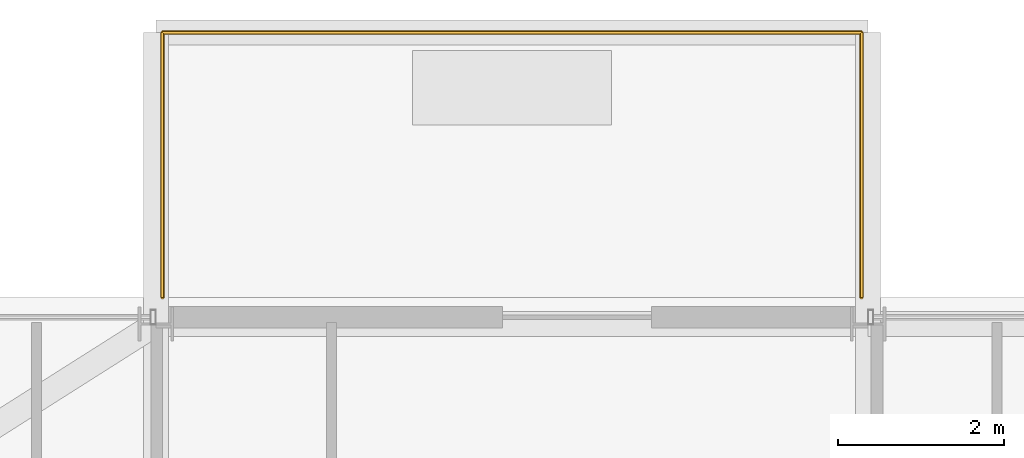
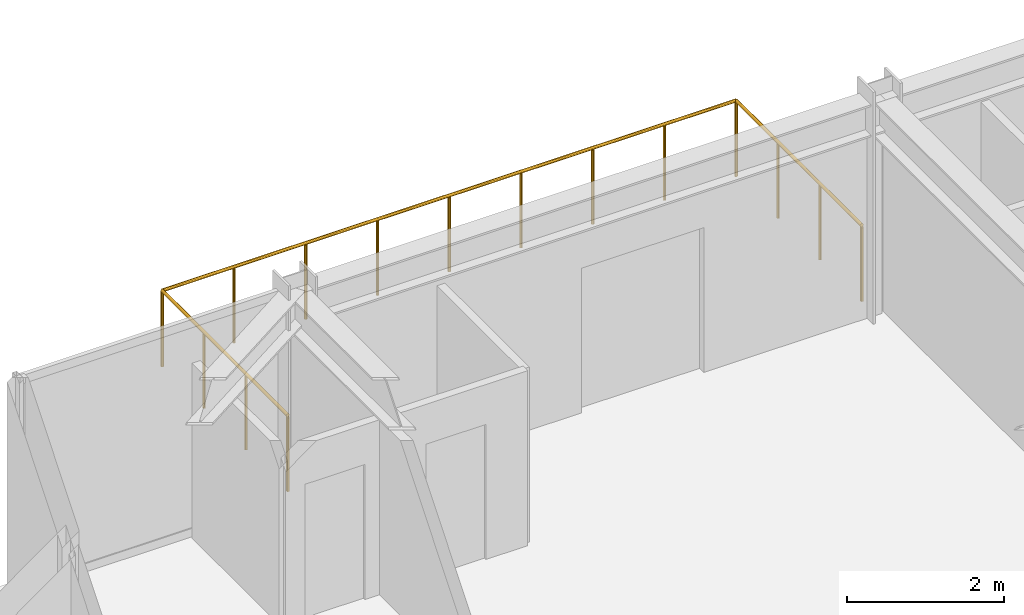
# One storey, part 33 of 34: 1 railing.
"""IFC4 building model written with IfcOpenShell, lengths in metres."""

import ifcopenshell
import ifcopenshell.guid

model = None  # the IFC model being written
_history = None  # IfcOwnerHistory: only IFC2X3 demands one
_inside = {}  # id of a spatial element -> (the spatial element, [elements in it])
_under = {}  # id of a project, library or spatial element -> (it, [spatial elements below it])
_declared = {}  # id of a project -> (the project, [libraries it declares])
_typed = {}  # id of a type object -> (the type object, [elements of that type])
_made_of = {}  # id of a material, layer set ... -> (it, [elements and type objects made of it])


def new_model(schema):
    """Start an empty IFC model of exactly this schema.

    Asked for "IFC4X3", IfcOpenShell would pick the latest addendum, in which some entities
    have other attributes; the version numbers below select the first issue.
    IFC2X3 requires an IfcOwnerHistory on every rooted entity: one is made here for all.
    """
    global model, _history
    if schema == "IFC4X3":
        model = ifcopenshell.file(schema_version=(4, 3, 0, 0))
    else:
        model = ifcopenshell.file(schema=schema)
    _inside.clear()
    _under.clear()
    _declared.clear()
    _typed.clear()
    _made_of.clear()
    _history = None
    if model.schema == "IFC2X3":
        org = make("IfcOrganization", Name="unknown")
        user = make(
            "IfcPersonAndOrganization",
            ThePerson=make("IfcPerson", FamilyName="unknown"),
            TheOrganization=org,
        )
        app = make(
            "IfcApplication",
            ApplicationDeveloper=org,
            Version="unknown",
            ApplicationFullName="unknown",
            ApplicationIdentifier="unknown",
        )
        _history = make(
            "IfcOwnerHistory",
            OwningUser=user,
            OwningApplication=app,
            ChangeAction="ADDED",
            CreationDate=0,
        )
    return model


def make(cls, **values):
    """One entity of the class cls with the attributes given. An attribute that is None is left unset."""
    return model.create_entity(
        cls, **{name: value for name, value in values.items() if value is not None}
    )


def rooted(cls, **values):
    """An entity with a GlobalId (a new one), such as an element, a storey or a relation."""
    return make(cls, GlobalId=ifcopenshell.guid.new(), OwnerHistory=_history, **values)


def si_unit(unit_type, name, prefix=None):
    """IfcSIUnit, for example si_unit("LENGTHUNIT", "METRE", prefix="MILLI")."""
    return make("IfcSIUnit", UnitType=unit_type, Prefix=prefix, Name=name)


def assignment(units):
    """IfcUnitAssignment: the units of a project."""
    return None if units is None else make("IfcUnitAssignment", Units=units)


def point(xyz):
    """IfcCartesianPoint."""
    return None if xyz is None else make("IfcCartesianPoint", Coordinates=xyz)


def direction(xyz):
    """IfcDirection."""
    return None if xyz is None else make("IfcDirection", DirectionRatios=xyz)


def frame(location, z_axis=None, x_axis=None):
    """IfcAxis2Placement3D, a coordinate frame: its origin and axes. An axis left out is left unset."""
    return make(
        "IfcAxis2Placement3D",
        Location=point(location),
        Axis=direction(z_axis),
        RefDirection=direction(x_axis),
    )


def frame_2d(location, x_axis=None):
    """IfcAxis2Placement2D, a coordinate frame in the plane: its origin and x axis."""
    return make(
        "IfcAxis2Placement2D", Location=point(location), RefDirection=direction(x_axis)
    )


def origin():
    """The frame at (0, 0, 0) with its axes left unset."""
    return frame((0.0, 0.0, 0.0))


def origin_2d():
    """The frame at (0, 0) in the plane with its x axis left unset."""
    return frame_2d((0.0, 0.0))


def place(relative_to, where):
    """IfcLocalPlacement: puts the frame where relative to a parent placement (None: the world)."""
    return make(
        "IfcLocalPlacement", PlacementRelTo=relative_to, RelativePlacement=where
    )


def context(
    kind, dimensions, precision=None, world=None, true_north=None, identifier=None
):
    """IfcGeometricRepresentationContext, for example the 3D "Model" context."""
    return make(
        "IfcGeometricRepresentationContext",
        ContextIdentifier=identifier,
        ContextType=kind,
        CoordinateSpaceDimension=dimensions,
        Precision=precision,
        WorldCoordinateSystem=world,
        TrueNorth=true_north,
    )


def subcontext(parent, identifier, kind, view, scale=None):
    """IfcGeometricRepresentationSubContext, for example "Body" below "Model"."""
    return make(
        "IfcGeometricRepresentationSubContext",
        ContextIdentifier=identifier,
        ContextType=kind,
        ParentContext=parent,
        TargetScale=scale,
        TargetView=view,
    )


def project(units=None, contexts=None):
    """IfcProject with its units and contexts."""
    return rooted(
        "IfcProject",
        Name="project",
        RepresentationContexts=contexts,
        UnitsInContext=assignment(units),
    )


def spatial(cls, under=None, at=None, **own):
    """A site, building, storey or space (cls), placed at a placement, below another one or the project."""
    s = rooted(cls, ObjectPlacement=at, **own)
    if under is not None:
        _under.setdefault(under.id(), (under, []))[1].append(s)
    return s


def profile(cls, at=None, kind="AREA", **sizes):
    """A parametric profile (cls). Its sizes go by their IFC names, for example OverallWidth=200.0."""
    return make(cls, ProfileType=kind, Position=at, **sizes)


def circle(**sizes):
    """IfcCircleProfileDef."""
    return profile("IfcCircleProfileDef", **sizes)


def extrude(swept, where, along, depth):
    """IfcExtrudedAreaSolid: the profile swept, set in the frame where, extruded along a direction by depth."""
    return make(
        "IfcExtrudedAreaSolid",
        SweptArea=swept,
        Position=where,
        ExtrudedDirection=direction(along),
        Depth=depth,
    )


def shape(context_of_items, identifier, shape_type, items):
    """IfcShapeRepresentation: the items that make up one representation, for example the "Body"."""
    return make(
        "IfcShapeRepresentation",
        ContextOfItems=context_of_items,
        RepresentationIdentifier=identifier,
        RepresentationType=shape_type,
        Items=items,
    )


def material(Name=None, Category=None):
    """IfcMaterial."""
    return make("IfcMaterial", Name=Name, Category=Category)


def made_of(thing, what):
    """Note that an element or type object is made of a material, layer set ...; save() writes the relation."""
    if what is not None:
        _made_of.setdefault(what.id(), (what, []))[1].append(thing)
    return thing


def type_object(cls, material=None, **own):
    """A type object (cls), such as IfcWallType, which elements share."""
    return made_of(rooted(cls, **own), material)


def element(
    cls,
    number,
    at=None,
    inside=None,
    cuts=None,
    type_object=None,
    material=None,
    context=None,
    identifier="Body",
    shape_type=None,
    held_by="IfcProductDefinitionShape",
    body=None,
    shapes=None,
    **own,
):
    """One element of the class cls, such as IfcWall. Its Tag is "e" and its number.

    at: its placement. inside: the storey or other place that contains it. cuts: it is an
    opening in that element (IfcRelVoidsElement). A single representation is given by context,
    identifier, shape_type and body (its items); several are given by shapes. held_by: the class
    of the entity that holds the representations. save() writes the other relations.
    """
    e = rooted(cls, Tag="e%d" % number, ObjectPlacement=at, **own)
    if body is not None:
        shapes = [shape(context, identifier, shape_type, body)]
    if shapes is not None:
        e.Representation = make(held_by, Representations=shapes)
    if inside is not None:
        _inside.setdefault(inside.id(), (inside, []))[1].append(e)
    if cuts is not None:
        rooted(
            "IfcRelVoidsElement", RelatingBuildingElement=cuts, RelatedOpeningElement=e
        )
    if type_object is not None:
        _typed.setdefault(type_object.id(), (type_object, []))[1].append(e)
    return made_of(e, material)


def aggregate(whole, parts):
    """IfcRelAggregates: a whole, such as a stair, and the parts it consists of."""
    return rooted("IfcRelAggregates", RelatingObject=whole, RelatedObjects=parts)


def save(model, path):
    """Write the relations noted so far, then the file.

    IfcRelAggregates (storeys below a building ...), IfcRelContainedInSpatialStructure (elements
    in a storey), IfcRelDefinesByType, IfcRelAssociatesMaterial and IfcRelDeclares: one each for
    every whole, place, type object, material and project.
    """
    for whole, parts in _under.values():
        aggregate(whole, parts)
    for where, things in _inside.values():
        rooted(
            "IfcRelContainedInSpatialStructure",
            RelatedElements=things,
            RelatingStructure=where,
        )
    for kind, things in _typed.values():
        rooted("IfcRelDefinesByType", RelatedObjects=things, RelatingType=kind)
    for what, things in _made_of.values():
        rooted("IfcRelAssociatesMaterial", RelatedObjects=things, RelatingMaterial=what)
    for by, libraries in _declared.values():
        rooted("IfcRelDeclares", RelatingContext=by, RelatedDefinitions=libraries)
    model.write(path)


model = new_model("IFC4")

# Units and contexts
model_context = context("Model", 3, precision=1e-05, world=origin(), true_north=direction((0.0, 1.0)))
body_context = subcontext(model_context, "Body", "Model", "MODEL_VIEW")
ifc_project = project(units=[si_unit("LENGTHUNIT", "METRE"), si_unit("AREAUNIT", "SQUARE_METRE"), si_unit("VOLUMEUNIT", "CUBIC_METRE"), si_unit("PLANEANGLEUNIT", "RADIAN"), si_unit("MASSUNIT", "GRAM", prefix="KILO")], contexts=[model_context])

# Site, building, storey
site_placement = place(None, origin())
site = spatial("IfcSite", under=ifc_project, at=site_placement, CompositionType="ELEMENT")
building_placement = place(site_placement, origin())
building = spatial("IfcBuilding", under=site, at=building_placement, Name="Nahalor Promenade Grand Hotel", CompositionType="ELEMENT")
storey_placement = place(building_placement, frame((0.0, 0.0, 128.449951171875)))
storey = spatial("IfcBuildingStorey", under=building, at=storey_placement, Name="L32", CompositionType="ELEMENT", Elevation=128.449951171875)

# Railing
ifc_material = material(Name="Anodised Bronze Aluminium EN AW-6063 T6", Category="aluminium")
railing_type = type_object("IfcRailingType", Name="Bronze Balcony Guardrail 1200 mm", PredefinedType="GUARDRAIL", material=ifc_material)
railing_placement = place(storey_placement, frame((-16.919921875, 24.10009765625, 0.0)))
element("IfcRailing", 1, at=railing_placement, inside=storey, type_object=railing_type, Name="L32 Balcony Guardrail 1", PredefinedType="GUARDRAIL", context=body_context, shape_type="SweptSolid", body=[
    extrude(circle(Radius=0.024048, at=origin_2d()), frame((0.0, 0.0, 1.17578125), z_axis=(0.0, 1.0, 0.0), x_axis=(-1.0, 0.0, 0.0)), (0.0, 0.0, 1.0), 3.197998046875),
    extrude(circle(Radius=0.024048, at=origin_2d()), frame((0.001953125, 3.199951171875, 1.17578125), z_axis=(1.0, 0.0, 0.0), x_axis=(0.0, 1.0, 0.0)), (0.0, 0.0, 1.0), 8.43603515625),
    extrude(circle(Radius=0.024048, at=origin_2d()), frame((8.43994140625, 3.197998046875, 1.17578125), z_axis=(0.0, -1.0, 0.0), x_axis=(1.0, 0.0, 0.0)), (0.0, 0.0, 1.0), 3.197998046875),
    extrude(circle(Radius=0.020996, at=origin_2d()), origin(), (0.0, 0.0, 1.0), 1.14990234375),
    extrude(circle(Radius=0.020996, at=origin_2d()), frame((0.0, 1.066650390625, 0.0)), (0.0, 0.0, 1.0), 1.14990234375),
    extrude(circle(Radius=0.020996, at=origin_2d()), frame((0.0, 2.13330078125, 0.0)), (0.0, 0.0, 1.0), 1.14990234375),
    extrude(circle(Radius=0.020996, at=origin_2d()), frame((0.0, 3.199951171875, 0.0)), (0.0, 0.0, 1.0), 1.14990234375),
    extrude(circle(Radius=0.020996, at=origin_2d()), frame((1.054931640625, 3.199951171875, 0.0)), (0.0, 0.0, 1.0), 1.14990234375),
    extrude(circle(Radius=0.020996, at=origin_2d()), frame((2.10986328125, 3.199951171875, 0.0)), (0.0, 0.0, 1.0), 1.14990234375),
    extrude(circle(Radius=0.020996, at=origin_2d()), frame((3.1650390625, 3.199951171875, 0.0)), (0.0, 0.0, 1.0), 1.14990234375),
    extrude(circle(Radius=0.020996, at=origin_2d()), frame((4.219970703125, 3.199951171875, 0.0)), (0.0, 0.0, 1.0), 1.14990234375),
    extrude(circle(Radius=0.020996, at=origin_2d()), frame((5.27490234375, 3.199951171875, 0.0)), (0.0, 0.0, 1.0), 1.14990234375),
    extrude(circle(Radius=0.020996, at=origin_2d()), frame((6.330078125, 3.199951171875, 0.0)), (0.0, 0.0, 1.0), 1.14990234375),
    extrude(circle(Radius=0.020996, at=origin_2d()), frame((7.385009765625, 3.199951171875, 0.0)), (0.0, 0.0, 1.0), 1.14990234375),
    extrude(circle(Radius=0.020996, at=origin_2d()), frame((8.43994140625, 3.199951171875, 0.0)), (0.0, 0.0, 1.0), 1.14990234375),
    extrude(circle(Radius=0.020996, at=origin_2d()), frame((8.43994140625, 2.13330078125, 0.0)), (0.0, 0.0, 1.0), 1.14990234375),
    extrude(circle(Radius=0.020996, at=origin_2d()), frame((8.43994140625, 1.066650390625, 0.0)), (0.0, 0.0, 1.0), 1.14990234375),
    extrude(circle(Radius=0.020996, at=origin_2d()), frame((8.43994140625, 0.0, 0.0)), (0.0, 0.0, 1.0), 1.14990234375),
])

save(model, "model.ifc")
